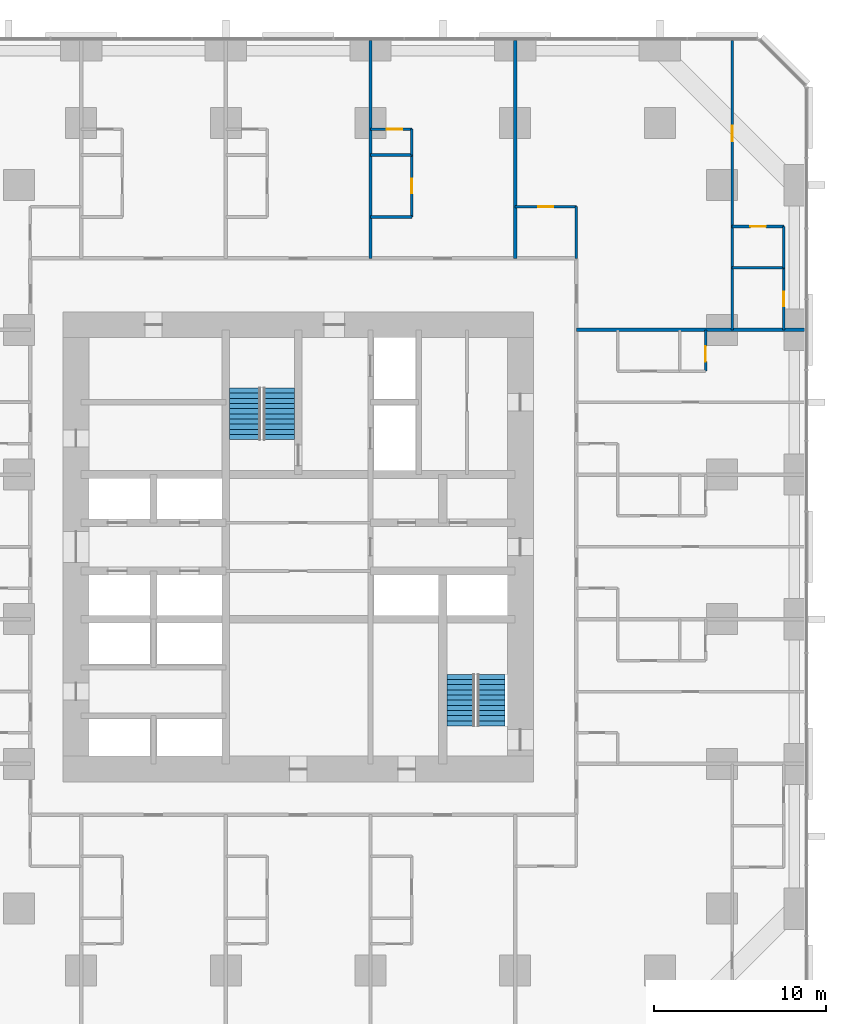
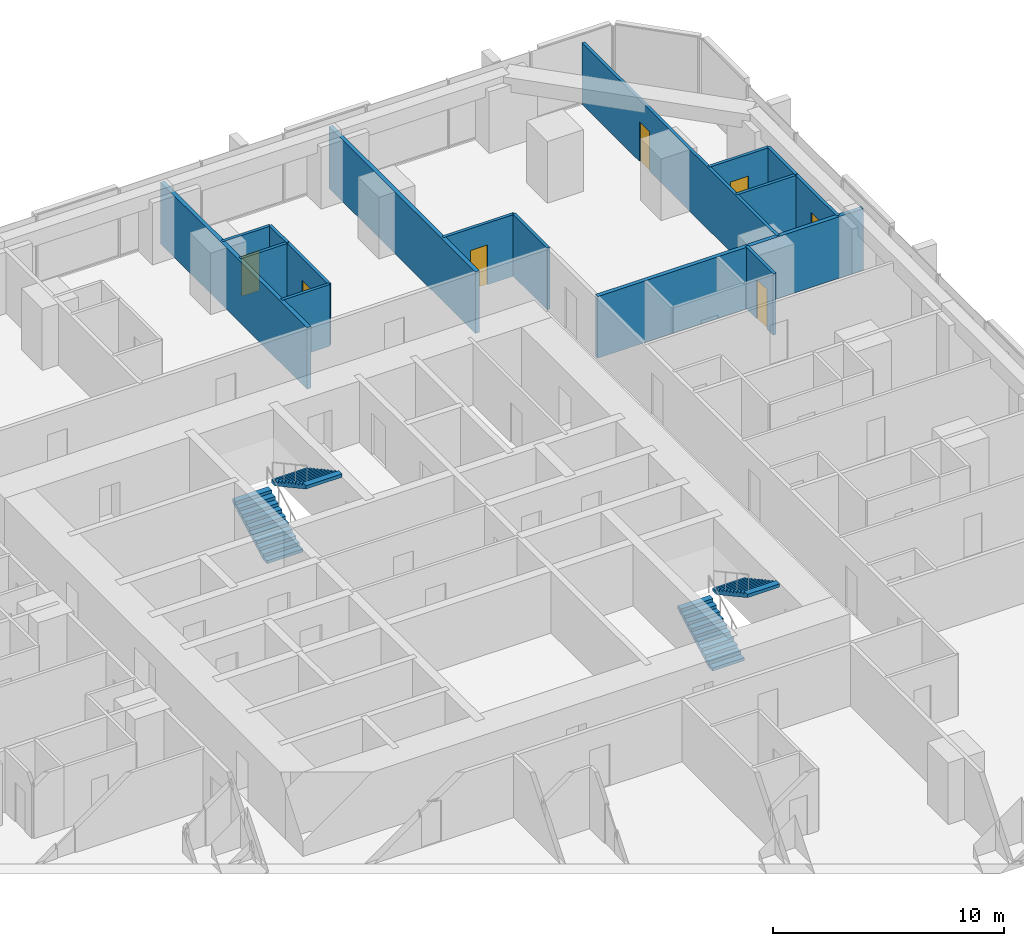
# One storey, part 16 of 17: 16 walls, 7 doors, 4 stair flights, 7 openings, 2 elements without a shape of their own.
"""IFC4 building model written with IfcOpenShell, lengths in metres."""

from ifc_helpers import new_model, si_unit, direction, frame, frame_2d, origin, place, context, subcontext, project, spatial, polyline, rectangle, outline, extrude, material, layer, layer_set, type_object, element, fill, aggregate, save


model = new_model("IFC4")

# Units and contexts
model_context = context("Model", 3, precision=1e-05, world=origin(), true_north=direction((0.0, 1.0)))
body_context = subcontext(model_context, "Body", "Model", "MODEL_VIEW")
ifc_project = project(units=[si_unit("LENGTHUNIT", "METRE"), si_unit("AREAUNIT", "SQUARE_METRE"), si_unit("VOLUMEUNIT", "CUBIC_METRE"), si_unit("PLANEANGLEUNIT", "RADIAN"), si_unit("MASSUNIT", "GRAM", prefix="KILO")], contexts=[model_context])

# Site, building, storey
site_placement = place(None, origin())
site = spatial("IfcSite", under=ifc_project, at=site_placement, CompositionType="ELEMENT")
building_placement = place(site_placement, origin())
building = spatial("IfcBuilding", under=site, at=building_placement, Name="Dunama Terrace Hotel", CompositionType="ELEMENT")
storey_placement = place(building_placement, frame((0.0, 0.0, 59.39990234375)))
storey = spatial("IfcBuildingStorey", under=building, at=storey_placement, Name="L14", CompositionType="ELEMENT", Elevation=59.39990234375)

# Wall, opening, door
ifc_material_1 = material(Name="Gypsum board partition", Category="masonry")
ifc_layer_1 = layer(ifc_material_1, 0.14990234375)
ifc_layer_set_1 = layer_set([ifc_layer_1], Name="Bathroom partition 150")
wall_type_1 = type_object("IfcWallType", Name="Bathroom partition 150", PredefinedType="PARTITIONING", material=ifc_layer_set_1)
wall_1_placement = place(storey_placement, frame((36.0, 48.550048828125, 0.0), z_axis=(0.0, 0.0, 1.0), x_axis=(0.0, 1.0, 0.0)))
wall_1 = element("IfcWall", 1, at=wall_1_placement, inside=storey, type_object=wall_type_1, Name="Bathroom partition 150 L14", PredefinedType="PARTITIONING", context=body_context, shape_type="SweptSolid", body=[
    extrude(rectangle(XDim=3.599853515625, YDim=0.14990234375, at=frame_2d((1.7998046875, 0.0))), origin(), (0.0, 0.0, 1.0), 3.25),
])
opening_1_placement = place(wall_1_placement, frame((1.375, 0.0, 0.0)))
opening_1 = element("IfcOpeningElement", 2, at=opening_1_placement, cuts=wall_1, Name="Opening L13-14-040", PredefinedType="OPENING", context=body_context, shape_type="SweptSolid", body=[
    extrude(rectangle(XDim=0.85009765625, YDim=2.10009765625, at=frame_2d((0.425048828125, 1.050048828125))), frame((0.0, 0.0849609375, 0.0), z_axis=(0.0, -1.0, 0.0), x_axis=(1.0, 0.0, 0.0)), (0.0, 0.0, 1.0), 0.169921875),
])
ifc_material_2 = material(Name="Timber door with steel frame", Category="steel")
door_type_1 = type_object("IfcDoorType", Name="Bathroom door 850", OperationType="SINGLE_SWING_LEFT", PredefinedType="DOOR", material=ifc_material_2)
door_1_placement = place(opening_1_placement, origin())
door_1 = element("IfcDoor", 3, at=door_1_placement, inside=storey, type_object=door_type_1, Name="Door to en-suite bathroom L13-14-040, type D2", OperationType="SINGLE_SWING_LEFT", OverallHeight=2.10009765625, OverallWidth=0.85009765625, PredefinedType="DOOR", context=body_context, shape_type="SweptSolid", body=[
    extrude(rectangle(XDim=0.85009765625, YDim=2.10009765625, at=frame_2d((0.425048828125, 1.050048828125))), frame((0.0, 0.02490234375, 0.0), z_axis=(0.0, -1.0, 0.0), x_axis=(1.0, 0.0, 0.0)), (0.0, 0.0, 1.0), 0.050048828125),
])
fill(opening_1, door_1)

# Wall
wall_2_placement = place(storey_placement, frame((45.550048828125, 46.14990234375, 0.0), z_axis=(0.0, 0.0, 1.0), x_axis=(0.0, 1.0, 0.0)))
element("IfcWall", 4, at=wall_2_placement, inside=storey, type_object=wall_type_1, Name="Bathroom partition 150 L14", PredefinedType="PARTITIONING", context=body_context, shape_type="SweptSolid", body=[
    extrude(rectangle(XDim=3.0, YDim=0.14990234375, at=frame_2d((1.5, 0.0))), origin(), (0.0, 0.0, 1.0), 3.25),
])

# Wall, opening, door
wall_3_placement = place(storey_placement, frame((57.60009765625, 42.0, 0.0), z_axis=(0.0, 0.0, 1.0), x_axis=(0.0, 1.0, 0.0)))
wall_3 = element("IfcWall", 5, at=wall_3_placement, inside=storey, type_object=wall_type_1, Name="Bathroom partition 150 L14", PredefinedType="PARTITIONING", context=body_context, shape_type="SweptSolid", body=[
    extrude(rectangle(XDim=3.60009765625, YDim=0.14990234375, at=frame_2d((1.800048828125, 0.0))), origin(), (0.0, 0.0, 1.0), 3.25),
])
opening_2_placement = place(wall_3_placement, frame((1.375, 0.0, 0.0)))
opening_2 = element("IfcOpeningElement", 6, at=opening_2_placement, cuts=wall_3, Name="Opening L13-14-070", PredefinedType="OPENING", context=body_context, shape_type="SweptSolid", body=[
    extrude(rectangle(XDim=0.85009765625, YDim=2.10009765625, at=frame_2d((0.425048828125, 1.050048828125))), frame((0.0, 0.0849609375, 0.0), z_axis=(0.0, -1.0, 0.0), x_axis=(1.0, 0.0, 0.0)), (0.0, 0.0, 1.0), 0.169921875),
])
door_2_placement = place(opening_2_placement, origin())
door_2 = element("IfcDoor", 7, at=door_2_placement, inside=storey, type_object=door_type_1, Name="Door to en-suite bathroom L13-14-070, type D2", OperationType="SINGLE_SWING_LEFT", OverallHeight=2.10009765625, OverallWidth=0.85009765625, PredefinedType="DOOR", context=body_context, shape_type="SweptSolid", body=[
    extrude(rectangle(XDim=0.85009765625, YDim=2.10009765625, at=frame_2d((0.425048828125, 1.050048828125))), frame((0.0, 0.02490234375, 0.0), z_axis=(0.0, -1.0, 0.0), x_axis=(1.0, 0.0, 0.0)), (0.0, 0.0, 1.0), 0.050048828125),
])
fill(opening_2, door_2)

# Wall
wall_4_placement = place(storey_placement, frame((33.60009765625, 48.550048828125, 0.0), z_axis=(0.0, 0.0, 1.0), x_axis=(1.0, 0.0, 0.0)))
element("IfcWall", 8, at=wall_4_placement, inside=storey, type_object=wall_type_1, Name="Bathroom partition 150 L14", PredefinedType="PARTITIONING", context=body_context, shape_type="SweptSolid", body=[
    extrude(rectangle(XDim=2.39990234375, YDim=0.14990234375, at=frame_2d((1.199951171875, 0.0))), origin(), (0.0, 0.0, 1.0), 3.25),
])

# Wall, opening, door
wall_5_placement = place(storey_placement, frame((42.0, 49.14990234375, 0.0), z_axis=(0.0, 0.0, 1.0), x_axis=(1.0, 0.0, 0.0)))
wall_5 = element("IfcWall", 9, at=wall_5_placement, inside=storey, type_object=wall_type_1, Name="Bathroom partition 150 L14", PredefinedType="PARTITIONING", context=body_context, shape_type="SweptSolid", body=[
    extrude(rectangle(XDim=3.550048828125, YDim=0.14990234375, at=frame_2d((1.77490234375, 0.0))), origin(), (0.0, 0.0, 1.0), 3.25),
])
opening_3_placement = place(wall_5_placement, frame((1.35009765625, 0.0, 0.0)))
opening_3 = element("IfcOpeningElement", 10, at=opening_3_placement, cuts=wall_5, Name="Opening L13-14-068", PredefinedType="OPENING", context=body_context, shape_type="SweptSolid", body=[
    extrude(rectangle(XDim=0.85009765625, YDim=2.10009765625, at=frame_2d((0.425048828125, 1.050048828125))), frame((0.0, 0.0849609375, 0.0), z_axis=(0.0, -1.0, 0.0), x_axis=(1.0, 0.0, 0.0)), (0.0, 0.0, 1.0), 0.169921875),
])
door_3_placement = place(opening_3_placement, frame((0.85009765625, 0.0, 0.0), z_axis=(0.0, 0.0, 1.0), x_axis=(-1.0, 0.0, 0.0)))
door_3 = element("IfcDoor", 11, at=door_3_placement, inside=storey, type_object=door_type_1, Name="Door to powder room L13-14-068, type D2", OperationType="SINGLE_SWING_RIGHT", OverallHeight=2.10009765625, OverallWidth=0.85009765625, PredefinedType="DOOR", context=body_context, shape_type="SweptSolid", body=[
    extrude(rectangle(XDim=0.85009765625, YDim=2.10009765625, at=frame_2d((0.425048828125, 1.050048828125))), frame((0.0, 0.025146484375, 0.0), z_axis=(0.0, -1.0, 0.0), x_axis=(1.0, 0.0, 0.0)), (0.0, 0.0, 1.0), 0.050048828125),
])
fill(opening_3, door_3)

# Walls
ifc_material_3 = material(Name="Concrete blockwork", Category="masonry")
ifc_layer_2 = layer(ifc_material_3, 0.199951171875)
ifc_layer_set_2 = layer_set([ifc_layer_2], Name="Party wall 200")
wall_type_2 = type_object("IfcWallType", Name="Party wall 200", PredefinedType="PARTITIONING", material=ifc_layer_set_2)
for number, where, z_axis, x_axis, name in (
    (12, (33.60009765625, 46.14990234375, 0.0), (0.0, 0.0, 1.0), (0.0, 1.0, 0.0), "Party wall 200 L14"),
    (13, (42.0, 46.14990234375, 0.0), (0.0, 0.0, 1.0), (0.0, 1.0, 0.0), "Party wall 200 L14"),
):
    element("IfcWall", number, at=place(storey_placement, frame(where, z_axis=z_axis, x_axis=x_axis)), inside=storey, type_object=wall_type_2, Name=name, PredefinedType="PARTITIONING", context=body_context, shape_type="SweptSolid", body=[
        extrude(rectangle(XDim=12.658203125, YDim=0.199951171875, at=frame_2d((6.3291015625, 0.0))), origin(), (0.0, 0.0, 1.0), 3.25),
    ])
wall_6_placement = place(storey_placement, frame((45.550048828125, 42.0, 0.0), z_axis=(0.0, 0.0, 1.0), x_axis=(1.0, 0.0, 0.0)))
element("IfcWall", 14, at=wall_6_placement, inside=storey, type_object=wall_type_2, Name="Party wall 200 L14", PredefinedType="PARTITIONING", context=body_context, shape_type="SweptSolid", body=[
    extrude(rectangle(XDim=13.258056640625, YDim=0.199951171875, at=frame_2d((6.62890625, 0.0))), origin(), (0.0, 0.0, 1.0), 3.25),
])
ifc_material_4 = material(Name="Gypsum board partition", Category="masonry")
ifc_layer_3 = layer(ifc_material_4, 0.14990234375)
ifc_layer_set_3 = layer_set([ifc_layer_3], Name="Room partition 150")
wall_type_3 = type_object("IfcWallType", Name="Room partition 150", PredefinedType="PARTITIONING", material=ifc_layer_set_3)
wall_7_placement = place(storey_placement, frame((36.0, 52.14990234375, 0.0), z_axis=(0.0, 0.0, 1.0), x_axis=(0.0, 1.0, 0.0)))
element("IfcWall", 15, at=wall_7_placement, inside=storey, type_object=wall_type_3, Name="Room partition 150 L14", PredefinedType="PARTITIONING", context=body_context, shape_type="SweptSolid", body=[
    extrude(rectangle(XDim=1.5, YDim=0.14990234375, at=frame_2d((0.75, 0.0))), origin(), (0.0, 0.0, 1.0), 3.25),
])

# Wall, opening, door
wall_8_placement = place(storey_placement, frame((53.050048828125, 39.60009765625, 0.0), z_axis=(0.0, 0.0, 1.0), x_axis=(0.0, 1.0, 0.0)))
wall_8 = element("IfcWall", 16, at=wall_8_placement, inside=storey, type_object=wall_type_3, Name="Room partition 150 L14", PredefinedType="PARTITIONING", context=body_context, shape_type="SweptSolid", body=[
    extrude(rectangle(XDim=2.39990234375, YDim=0.14990234375, at=frame_2d((1.199951171875, 0.0))), origin(), (0.0, 0.0, 1.0), 3.25),
])
opening_4_placement = place(wall_8_placement, frame((0.550048828125, 0.0, 0.0)))
opening_4 = element("IfcOpeningElement", 17, at=opening_4_placement, cuts=wall_8, Name="Opening L13-14-032", PredefinedType="OPENING", context=body_context, shape_type="SweptSolid", body=[
    extrude(rectangle(XDim=0.89990234375, YDim=2.10009765625, at=frame_2d((0.449951171875, 1.050048828125))), frame((0.0, 0.0849609375, 0.0), z_axis=(0.0, -1.0, 0.0), x_axis=(1.0, 0.0, 0.0)), (0.0, 0.0, 1.0), 0.169921875),
])
ifc_material_5 = material(Name="Timber door with steel frame", Category="steel")
door_type_2 = type_object("IfcDoorType", Name="Suite internal door 900", OperationType="SINGLE_SWING_LEFT", PredefinedType="DOOR", material=ifc_material_5)
door_4_placement = place(opening_4_placement, origin())
door_4 = element("IfcDoor", 18, at=door_4_placement, inside=storey, type_object=door_type_2, Name="Door to walk-in wardrobe L13-14-032, type D16", OperationType="SINGLE_SWING_RIGHT", OverallHeight=2.10009765625, OverallWidth=0.89990234375, PredefinedType="DOOR", context=body_context, shape_type="SweptSolid", body=[
    extrude(rectangle(XDim=0.89990234375, YDim=2.10009765625, at=frame_2d((0.449951171875, 1.050048828125))), frame((0.0, 0.02490234375, 0.0), z_axis=(0.0, -1.0, 0.0), x_axis=(1.0, 0.0, 0.0)), (0.0, 0.0, 1.0), 0.050048828125),
])
fill(opening_4, door_4)

wall_9_placement = place(storey_placement, frame((54.60009765625, 42.0, 0.0), z_axis=(0.0, 0.0, 1.0), x_axis=(0.0, 1.0, 0.0)))
wall_9 = element("IfcWall", 19, at=wall_9_placement, inside=storey, type_object=wall_type_3, Name="Room partition 150 L14", PredefinedType="PARTITIONING", context=body_context, shape_type="SweptSolid", body=[
    extrude(rectangle(XDim=16.80810546875, YDim=0.14990234375, at=frame_2d((8.404052734375, 0.0))), origin(), (0.0, 0.0, 1.0), 3.25),
])
opening_5_placement = place(wall_9_placement, frame((10.949951171875, 0.0, 0.0)))
opening_5 = element("IfcOpeningElement", 20, at=opening_5_placement, cuts=wall_9, Name="Opening L13-14-069", PredefinedType="OPENING", context=body_context, shape_type="SweptSolid", body=[
    extrude(rectangle(XDim=0.89990234375, YDim=2.10009765625, at=frame_2d((0.449951171875, 1.050048828125))), frame((0.0, 0.0849609375, 0.0), z_axis=(0.0, -1.0, 0.0), x_axis=(1.0, 0.0, 0.0)), (0.0, 0.0, 1.0), 0.169921875),
])
door_5_placement = place(opening_5_placement, frame((0.89990234375, 0.0, 0.0), z_axis=(0.0, 0.0, 1.0), x_axis=(-1.0, 0.0, 0.0)))
door_5 = element("IfcDoor", 21, at=door_5_placement, inside=storey, type_object=door_type_2, Name="Door to corner suite bedroom L13-14-069, type D16", OperationType="SINGLE_SWING_RIGHT", OverallHeight=2.10009765625, OverallWidth=0.89990234375, PredefinedType="DOOR", context=body_context, shape_type="SweptSolid", body=[
    extrude(rectangle(XDim=0.89990234375, YDim=2.10009765625, at=frame_2d((0.449951171875, 1.050048828125))), frame((0.0, 0.025146484375, 0.0), z_axis=(0.0, -1.0, 0.0), x_axis=(1.0, 0.0, 0.0)), (0.0, 0.0, 1.0), 0.050048828125),
])
fill(opening_5, door_5)

# Walls
wall_10_placement = place(storey_placement, frame((57.60009765625, 45.60009765625, 0.0), z_axis=(0.0, 0.0, 1.0), x_axis=(0.0, 1.0, 0.0)))
element("IfcWall", 22, at=wall_10_placement, inside=storey, type_object=wall_type_3, Name="Room partition 150 L14", PredefinedType="PARTITIONING", context=body_context, shape_type="SweptSolid", body=[
    extrude(rectangle(XDim=2.39990234375, YDim=0.14990234375, at=frame_2d((1.199951171875, 0.0))), origin(), (0.0, 0.0, 1.0), 3.25),
])
wall_11_placement = place(storey_placement, frame((54.60009765625, 45.60009765625, 0.0), z_axis=(0.0, 0.0, 1.0), x_axis=(1.0, 0.0, 0.0)))
element("IfcWall", 23, at=wall_11_placement, inside=storey, type_object=wall_type_3, Name="Room partition 150 L14", PredefinedType="PARTITIONING", context=body_context, shape_type="SweptSolid", body=[
    extrude(rectangle(XDim=3.0, YDim=0.14990234375, at=frame_2d((1.5, 0.0))), origin(), (0.0, 0.0, 1.0), 3.25),
])

# Wall, opening, door
wall_12_placement = place(storey_placement, frame((54.60009765625, 48.0, 0.0), z_axis=(0.0, 0.0, 1.0), x_axis=(1.0, 0.0, 0.0)))
wall_12 = element("IfcWall", 24, at=wall_12_placement, inside=storey, type_object=wall_type_3, Name="Room partition 150 L14", PredefinedType="PARTITIONING", context=body_context, shape_type="SweptSolid", body=[
    extrude(rectangle(XDim=3.0, YDim=0.14990234375, at=frame_2d((1.5, 0.0))), origin(), (0.0, 0.0, 1.0), 3.25),
])
opening_6_placement = place(wall_12_placement, frame((1.050048828125, 0.0, 0.0)))
opening_6 = element("IfcOpeningElement", 25, at=opening_6_placement, cuts=wall_12, Name="Opening L13-14-071", PredefinedType="OPENING", context=body_context, shape_type="SweptSolid", body=[
    extrude(rectangle(XDim=0.89990234375, YDim=2.10009765625, at=frame_2d((0.449951171875, 1.050048828125))), frame((0.0, 0.0849609375, 0.0), z_axis=(0.0, -1.0, 0.0), x_axis=(1.0, 0.0, 0.0)), (0.0, 0.0, 1.0), 0.169921875),
])
door_6_placement = place(opening_6_placement, frame((0.89990234375, 0.0, 0.0), z_axis=(0.0, 0.0, 1.0), x_axis=(-1.0, 0.0, 0.0)))
door_6 = element("IfcDoor", 26, at=door_6_placement, inside=storey, type_object=door_type_2, Name="Door to dressing room L13-14-071, type D16", OperationType="SINGLE_SWING_RIGHT", OverallHeight=2.10009765625, OverallWidth=0.89990234375, PredefinedType="DOOR", context=body_context, shape_type="SweptSolid", body=[
    extrude(rectangle(XDim=0.89990234375, YDim=2.10009765625, at=frame_2d((0.449951171875, 1.050048828125))), frame((0.0, 0.025146484375, 0.0), z_axis=(0.0, -1.0, 0.0), x_axis=(1.0, 0.0, 0.0)), (0.0, 0.0, 1.0), 0.050048828125),
])
fill(opening_6, door_6)

# Wall
wall_13_placement = place(storey_placement, frame((33.60009765625, 52.14990234375, 0.0), z_axis=(0.0, 0.0, 1.0), x_axis=(1.0, 0.0, 0.0)))
element("IfcWall", 27, at=wall_13_placement, inside=storey, type_object=wall_type_3, Name="Room partition 150 L14", PredefinedType="PARTITIONING", context=body_context, shape_type="SweptSolid", body=[
    extrude(rectangle(XDim=2.39990234375, YDim=0.14990234375, at=frame_2d((1.199951171875, 0.0))), origin(), (0.0, 0.0, 1.0), 3.25),
])

# Wall, opening, door
wall_14_placement = place(storey_placement, frame((33.60009765625, 53.64990234375, 0.0), z_axis=(0.0, 0.0, 1.0), x_axis=(1.0, 0.0, 0.0)))
wall_14 = element("IfcWall", 28, at=wall_14_placement, inside=storey, type_object=wall_type_3, Name="Room partition 150 L14", PredefinedType="PARTITIONING", context=body_context, shape_type="SweptSolid", body=[
    extrude(rectangle(XDim=2.39990234375, YDim=0.14990234375, at=frame_2d((1.199951171875, 0.0))), origin(), (0.0, 0.0, 1.0), 3.25),
])
opening_7_placement = place(wall_14_placement, frame((0.949951171875, 0.0, 0.0)))
opening_7 = element("IfcOpeningElement", 29, at=opening_7_placement, cuts=wall_14, Name="Opening L13-14-041", PredefinedType="OPENING", context=body_context, shape_type="SweptSolid", body=[
    extrude(rectangle(XDim=0.89990234375, YDim=2.10009765625, at=frame_2d((0.449951171875, 1.050048828125))), frame((0.0, 0.0849609375, 0.0), z_axis=(0.0, -1.0, 0.0), x_axis=(1.0, 0.0, 0.0)), (0.0, 0.0, 1.0), 0.169921875),
])
door_7_placement = place(opening_7_placement, frame((0.89990234375, 0.0, 0.0), z_axis=(0.0, 0.0, 1.0), x_axis=(-1.0, 0.0, 0.0)))
door_7 = element("IfcDoor", 30, at=door_7_placement, inside=storey, type_object=door_type_2, Name="Door to walk-in wardrobe L13-14-041, type D16", OperationType="SINGLE_SWING_RIGHT", OverallHeight=2.10009765625, OverallWidth=0.89990234375, PredefinedType="DOOR", context=body_context, shape_type="SweptSolid", body=[
    extrude(rectangle(XDim=0.89990234375, YDim=2.10009765625, at=frame_2d((0.449951171875, 1.050048828125))), frame((0.0, 0.025146484375, 0.0), z_axis=(0.0, -1.0, 0.0), x_axis=(1.0, 0.0, 0.0)), (0.0, 0.0, 1.0), 0.050048828125),
])
fill(opening_7, door_7)

# Stair, stair flights
ifc_material_6 = material(Name="Concrete C40/50", Category="concrete")
stair_type_1 = type_object("IfcStairType", Name="Stair ST1-3600-1800", PredefinedType="HALF_TURN_STAIR", material=ifc_material_6)
stair_1_placement = place(storey_placement, origin())
stair_1 = element("IfcStair", 31, at=stair_1_placement, inside=storey, type_object=stair_type_1, Name="Stair ST1 L14", PredefinedType="HALF_TURN_STAIR")
ifc_material_7 = material(Name="Concrete C40/50", Category="concrete")
stair_flight_type_1 = type_object("IfcStairFlightType", Name="Stair flight ST1-3600-1800", PredefinedType="STRAIGHT", material=ifc_material_7)
stair_flight_1_placement = place(storey_placement, frame((26.324951171875, 35.625, 0.0), z_axis=(0.0, 0.0, 1.0), x_axis=(0.0, 1.0, 0.0)))
stair_flight_1 = element("IfcStairFlight", 32, at=stair_flight_1_placement, type_object=stair_flight_type_1, Name="ST1 flight 1", NumberOfRisers=11, NumberOfTreads=10, PredefinedType="STRAIGHT", RiserHeight=0.163636364, TreadLength=0.3, context=body_context, shape_type="SweptSolid", body=[
    extrude(outline(polyline([(0.0, 0.0), (0.0, 0.16357421875), (0.300048828125, 0.16357421875), (0.300048828125, 0.327392578125), (0.60009765625, 0.327392578125), (0.60009765625, 0.490966796875), (0.89990234375, 0.490966796875), (0.89990234375, 0.654541015625), (1.199951171875, 0.654541015625), (1.199951171875, 0.818115234375), (1.5, 0.818115234375), (1.5, 0.98193359375), (1.800048828125, 0.98193359375), (1.800048828125, 1.1455078125), (2.10009765625, 1.1455078125), (2.10009765625, 1.30908203125), (2.39990234375, 1.30908203125), (2.39990234375, 1.47265625), (2.699951171875, 1.47265625), (2.699951171875, 1.636474609375), (3.0, 1.636474609375), (3.0, 1.800048828125), (3.0, 1.465576171875), (0.31298828125, 0.0), (0.0, 0.0)])), frame((0.0, 0.89990234375, 0.0), z_axis=(0.0, -1.0, 0.0), x_axis=(1.0, 0.0, 0.0)), (0.0, 0.0, 1.0), 1.800048828125),
])
stair_flight_2_placement = place(storey_placement, frame((28.27490234375, 38.625, 1.800048828125), z_axis=(0.0, 0.0, 1.0), x_axis=(0.0, -1.0, 0.0)))
stair_flight_2 = element("IfcStairFlight", 33, at=stair_flight_2_placement, type_object=stair_flight_type_1, Name="ST1 flight 2", NumberOfRisers=11, NumberOfTreads=10, PredefinedType="STRAIGHT", RiserHeight=0.163636364, TreadLength=0.3, context=body_context, shape_type="SweptSolid", body=[
    extrude(outline(polyline([(0.0, 0.0), (0.0, 0.16357421875), (0.300048828125, 0.16357421875), (0.300048828125, 0.327392578125), (0.60009765625, 0.327392578125), (0.60009765625, 0.490966796875), (0.89990234375, 0.490966796875), (0.89990234375, 0.654541015625), (1.199951171875, 0.654541015625), (1.199951171875, 0.818115234375), (1.5, 0.818115234375), (1.5, 0.98193359375), (1.800048828125, 0.98193359375), (1.800048828125, 1.1455078125), (2.10009765625, 1.1455078125), (2.10009765625, 1.30908203125), (2.39990234375, 1.30908203125), (2.39990234375, 1.47265625), (2.699951171875, 1.47265625), (2.699951171875, 1.636474609375), (3.0, 1.636474609375), (3.0, 1.800048828125), (3.0, 1.465576171875), (0.31298828125, 0.0), (0.0, 0.0)])), frame((0.0, 0.89990234375, 0.0), z_axis=(0.0, -1.0, 0.0), x_axis=(1.0, 0.0, 0.0)), (0.0, 0.0, 1.0), 1.800048828125),
])
aggregate(stair_1, [stair_flight_1, stair_flight_2])

ifc_material_8 = material(Name="Concrete C40/50", Category="concrete")
stair_type_2 = type_object("IfcStairType", Name="Stair ST2-3600-1600", PredefinedType="HALF_TURN_STAIR", material=ifc_material_8)
stair_2_placement = place(storey_placement, origin())
stair_2 = element("IfcStair", 34, at=stair_2_placement, inside=storey, type_object=stair_type_2, Name="Stair ST2 L14", PredefinedType="HALF_TURN_STAIR")
ifc_material_9 = material(Name="Concrete C40/50", Category="concrete")
stair_flight_type_2 = type_object("IfcStairFlightType", Name="Stair flight ST2-3600-1600", PredefinedType="STRAIGHT", material=ifc_material_9)
stair_flight_3_placement = place(storey_placement, frame((38.85009765625, 19.0, 0.0), z_axis=(0.0, 0.0, 1.0), x_axis=(0.0, 1.0, 0.0)))
stair_flight_3 = element("IfcStairFlight", 35, at=stair_flight_3_placement, type_object=stair_flight_type_2, Name="ST2 flight 1", NumberOfRisers=11, NumberOfTreads=10, PredefinedType="STRAIGHT", RiserHeight=0.163636364, TreadLength=0.3, context=body_context, shape_type="SweptSolid", body=[
    extrude(outline(polyline([(0.0, 0.0), (0.0, 0.16357421875), (0.300048828125, 0.16357421875), (0.300048828125, 0.327392578125), (0.60009765625, 0.327392578125), (0.60009765625, 0.490966796875), (0.89990234375, 0.490966796875), (0.89990234375, 0.654541015625), (1.199951171875, 0.654541015625), (1.199951171875, 0.818115234375), (1.5, 0.818115234375), (1.5, 0.98193359375), (1.800048828125, 0.98193359375), (1.800048828125, 1.1455078125), (2.10009765625, 1.1455078125), (2.10009765625, 1.30908203125), (2.39990234375, 1.30908203125), (2.39990234375, 1.47265625), (2.699951171875, 1.47265625), (2.699951171875, 1.636474609375), (3.0, 1.636474609375), (3.0, 1.800048828125), (3.0, 1.465576171875), (0.31298828125, 0.0), (0.0, 0.0)])), frame((0.0, 0.800048828125, 0.0), z_axis=(0.0, -1.0, 0.0), x_axis=(1.0, 0.0, 0.0)), (0.0, 0.0, 1.0), 1.60009765625),
])
stair_flight_4_placement = place(storey_placement, frame((40.60009765625, 22.0, 1.800048828125), z_axis=(0.0, 0.0, 1.0), x_axis=(0.0, -1.0, 0.0)))
stair_flight_4 = element("IfcStairFlight", 36, at=stair_flight_4_placement, type_object=stair_flight_type_2, Name="ST2 flight 2", NumberOfRisers=11, NumberOfTreads=10, PredefinedType="STRAIGHT", RiserHeight=0.163636364, TreadLength=0.3, context=body_context, shape_type="SweptSolid", body=[
    extrude(outline(polyline([(0.0, 0.0), (0.0, 0.16357421875), (0.300048828125, 0.16357421875), (0.300048828125, 0.327392578125), (0.60009765625, 0.327392578125), (0.60009765625, 0.490966796875), (0.89990234375, 0.490966796875), (0.89990234375, 0.654541015625), (1.199951171875, 0.654541015625), (1.199951171875, 0.818115234375), (1.5, 0.818115234375), (1.5, 0.98193359375), (1.800048828125, 0.98193359375), (1.800048828125, 1.1455078125), (2.10009765625, 1.1455078125), (2.10009765625, 1.30908203125), (2.39990234375, 1.30908203125), (2.39990234375, 1.47265625), (2.699951171875, 1.47265625), (2.699951171875, 1.636474609375), (3.0, 1.636474609375), (3.0, 1.800048828125), (3.0, 1.465576171875), (0.31298828125, 0.0), (0.0, 0.0)])), frame((0.0, 0.800048828125, 0.0), z_axis=(0.0, -1.0, 0.0), x_axis=(1.0, 0.0, 0.0)), (0.0, 0.0, 1.0), 1.60009765625),
])
aggregate(stair_2, [stair_flight_3, stair_flight_4])

save(model, "model.ifc")
